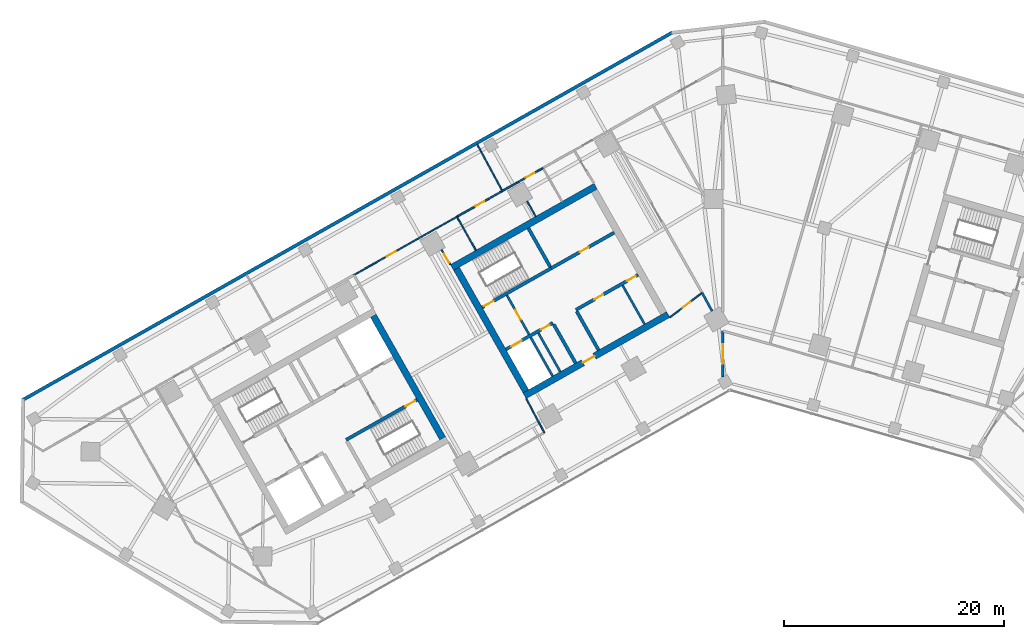
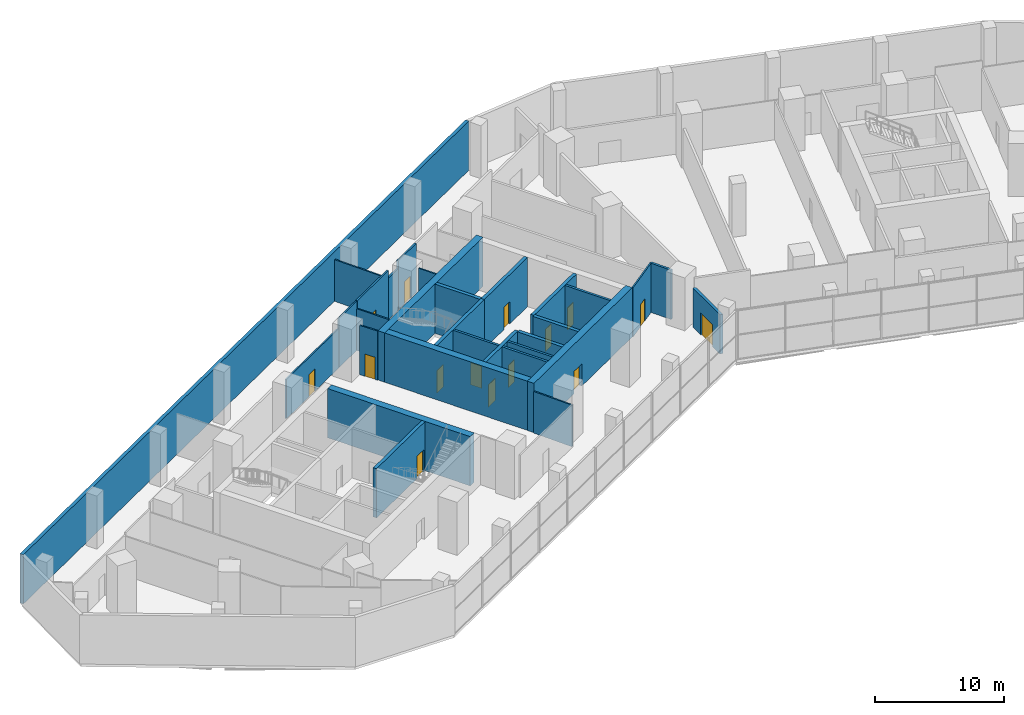
# One storey, part 9 of 15: 30 walls, 15 doors, 15 openings.
"""IFC4 building model written with IfcOpenShell, lengths in metres."""

from ifc_helpers import new_model, si_unit, direction, frame, frame_2d, origin, place, context, subcontext, project, spatial, rectangle, extrude, material, layer, layer_set, type_object, element, fill, save


model = new_model("IFC4")

# Units and contexts
model_context = context("Model", 3, precision=1e-05, world=origin(), true_north=direction((0.0, 1.0)))
body_context = subcontext(model_context, "Body", "Model", "MODEL_VIEW")
ifc_project = project(units=[si_unit("LENGTHUNIT", "METRE"), si_unit("AREAUNIT", "SQUARE_METRE"), si_unit("VOLUMEUNIT", "CUBIC_METRE"), si_unit("PLANEANGLEUNIT", "RADIAN"), si_unit("MASSUNIT", "GRAM", prefix="KILO")], contexts=[model_context])

# Site, building, storey
site_placement = place(None, origin())
site = spatial("IfcSite", under=ifc_project, at=site_placement, CompositionType="ELEMENT")
building_placement = place(site_placement, origin())
building = spatial("IfcBuilding", under=site, at=building_placement, Name="Binnacle Exchange Tower", CompositionType="ELEMENT")
storey_placement = place(building_placement, frame((0.0, 0.0, 16.5)))
storey = spatial("IfcBuildingStorey", under=building, at=storey_placement, Name="L03", CompositionType="ELEMENT", Elevation=16.5)

# Wall
ifc_material_1 = material(Name="Gypsum partition fire rated")
ifc_layer_1 = layer(ifc_material_1, 0.199951171875)
ifc_layer_set_1 = layer_set([ifc_layer_1], Name="Core partition 200")
wall_type_1 = type_object("IfcWallType", Name="Core partition 200", PredefinedType="PARTITIONING", material=ifc_layer_set_1)
wall_1_placement = place(storey_placement, frame((-9.11279296875, 52.14404296875, 0.0), z_axis=(0.0, 0.0, 1.0), x_axis=(0.492394910396, -0.870371904542, 0.0)))
element("IfcWall", 1, at=wall_1_placement, inside=storey, type_object=wall_type_1, Name="Core wall CRWC22", PredefinedType="PARTITIONING", context=body_context, shape_type="SweptSolid", body=[
    extrude(rectangle(XDim=4.0498046875, YDim=0.199951171875, at=frame_2d((2.02490234375, 0.0))), origin(), (0.0, 0.0, 1.0), 4.64990234375),
])

# Wall, openings, doors
ifc_material_2 = material(Name="Concrete C70/85", Category="concrete")
ifc_layer_2 = layer(ifc_material_2, 0.300048828125)
ifc_layer_set_2 = layer_set([ifc_layer_2], Name="Core wall - front 300")
wall_type_2 = type_object("IfcWallType", Name="Core wall - front 300", PredefinedType="SOLIDWALL", material=ifc_layer_set_2)
wall_2_placement = place(storey_placement, frame((-19.718017578125, 46.31640625, 0.0), z_axis=(0.0, 0.0, 1.0), x_axis=(0.870353963862, 0.492426621528, 0.0)))
wall_2 = element("IfcWall", 2, at=wall_2_placement, inside=storey, type_object=wall_type_2, Name="Core wall CRWC2", PredefinedType="SOLIDWALL", context=body_context, shape_type="SweptSolid", body=[
    extrude(rectangle(XDim=4.89990234375, YDim=0.300048828125, at=frame_2d((2.449951171875, 0.0))), origin(), (0.0, 0.0, 1.0), 4.64990234375),
])
opening_1_placement = place(wall_2_placement, frame((0.550048828125, 0.0, 0.0)))
opening_1 = element("IfcOpeningElement", 3, at=opening_1_placement, cuts=wall_2, Name="Opening LD14", PredefinedType="OPENING", context=body_context, shape_type="SweptSolid", body=[
    extrude(rectangle(XDim=1.10009765625, YDim=2.10009765625, at=frame_2d((0.550048828125, 1.050048828125))), frame((0.0, 0.159912109375, 0.0), z_axis=(0.0, -1.0, 0.0), x_axis=(1.0, 0.0, 0.0)), (0.0, 0.0, 1.0), 0.320068359375),
])
opening_2_placement = place(wall_2_placement, frame((3.64990234375, 0.0, 0.0)))
opening_2 = element("IfcOpeningElement", 4, at=opening_2_placement, cuts=wall_2, Name="Opening DC14", PredefinedType="OPENING", context=body_context, shape_type="SweptSolid", body=[
    extrude(rectangle(XDim=0.89990234375, YDim=2.10009765625, at=frame_2d((0.449951171875, 1.050048828125))), frame((0.0, 0.159912109375, 0.0), z_axis=(0.0, -1.0, 0.0), x_axis=(1.0, 0.0, 0.0)), (0.0, 0.0, 1.0), 0.320068359375),
])
ifc_material_3 = material(Name="Steel door leaf", Category="steel")
door_type_1 = type_object("IfcDoorType", Name="Fire door - lift landing 1100", OperationType="NOTDEFINED", PredefinedType="DOOR", material=ifc_material_3)
door_1_placement = place(opening_1_placement, origin())
door_1 = element("IfcDoor", 5, at=door_1_placement, inside=storey, type_object=door_type_1, Name="Landing door LD14 L03", OperationType="DOUBLE_DOOR_SLIDING", OverallHeight=2.10009765625, OverallWidth=1.10009765625, PredefinedType="DOOR", context=body_context, shape_type="SweptSolid", body=[
    extrude(rectangle(XDim=1.10009765625, YDim=2.10009765625, at=frame_2d((0.550048828125, 1.050048828125))), frame((0.0, 0.02490234375, 0.0), z_axis=(0.0, -1.0, 0.0), x_axis=(1.0, 0.0, 0.0)), (0.0, 0.0, 1.0), 0.050048828125),
])
fill(opening_1, door_1)
door_type_2 = type_object("IfcDoorType", Name="Fire door 900", OperationType="NOTDEFINED", PredefinedType="DOOR", material=ifc_material_3)
door_2_placement = place(opening_2_placement, frame((0.89990234375, 0.0, 0.0), z_axis=(0.0, 0.0, 1.0), x_axis=(-1.0, 0.0, 0.0)))
door_2 = element("IfcDoor", 6, at=door_2_placement, inside=storey, type_object=door_type_2, Name="Core room door IT STORE", OperationType="SINGLE_SWING_LEFT", OverallHeight=2.10009765625, OverallWidth=0.89990234375, PredefinedType="DOOR", context=body_context, shape_type="SweptSolid", body=[
    extrude(rectangle(XDim=0.89990234375, YDim=2.10009765625, at=frame_2d((0.449951171875, 1.050048828125))), frame((0.0, 0.02490234375, 0.0), z_axis=(0.0, -1.0, 0.0), x_axis=(1.0, 0.0, 0.0)), (0.0, 0.0, 1.0), 0.050048828125),
])
fill(opening_2, door_2)

wall_3_placement = place(storey_placement, frame((-13.364501953125, 49.910888671875, 0.0), z_axis=(0.0, 0.0, 1.0), x_axis=(0.870340995471, 0.49244954219, 0.0)))
wall_3 = element("IfcWall", 7, at=wall_3_placement, inside=storey, type_object=wall_type_2, Name="Core wall CRWC3", PredefinedType="SOLIDWALL", context=body_context, shape_type="SweptSolid", body=[
    extrude(rectangle(XDim=6.5, YDim=0.300048828125, at=frame_2d((3.25, 0.0))), origin(), (0.0, 0.0, 1.0), 4.64990234375),
])
opening_3_placement = place(wall_3_placement, frame((1.949951171875, 0.0, 0.0)))
opening_3 = element("IfcOpeningElement", 8, at=opening_3_placement, cuts=wall_3, Name="Opening DC18", PredefinedType="OPENING", context=body_context, shape_type="SweptSolid", body=[
    extrude(rectangle(XDim=0.89990234375, YDim=2.10009765625, at=frame_2d((0.449951171875, 1.050048828125))), frame((0.0, 0.159912109375, 0.0), z_axis=(0.0, -1.0, 0.0), x_axis=(1.0, 0.0, 0.0)), (0.0, 0.0, 1.0), 0.320068359375),
])
opening_4_placement = place(wall_3_placement, frame((5.35009765625, 0.0, 0.0)))
opening_4 = element("IfcOpeningElement", 9, at=opening_4_placement, cuts=wall_3, Name="Opening DC19", PredefinedType="OPENING", context=body_context, shape_type="SweptSolid", body=[
    extrude(rectangle(XDim=0.89990234375, YDim=2.10009765625, at=frame_2d((0.449951171875, 1.050048828125))), frame((0.0, 0.159912109375, 0.0), z_axis=(0.0, -1.0, 0.0), x_axis=(1.0, 0.0, 0.0)), (0.0, 0.0, 1.0), 0.320068359375),
])
door_3_placement = place(opening_3_placement, frame((0.89990234375, 0.0, 0.0), z_axis=(0.0, 0.0, 1.0), x_axis=(-1.0, 0.0, 0.0)))
door_3 = element("IfcDoor", 10, at=door_3_placement, inside=storey, type_object=door_type_2, Name="Core room door TELECOM RISER ROOM", OperationType="SINGLE_SWING_RIGHT", OverallHeight=2.10009765625, OverallWidth=0.89990234375, PredefinedType="DOOR", context=body_context, shape_type="SweptSolid", body=[
    extrude(rectangle(XDim=0.89990234375, YDim=2.10009765625, at=frame_2d((0.449951171875, 1.050048828125))), frame((0.0, 0.02490234375, 0.0), z_axis=(0.0, -1.0, 0.0), x_axis=(1.0, 0.0, 0.0)), (0.0, 0.0, 1.0), 0.050048828125),
])
fill(opening_3, door_3)
door_4_placement = place(opening_4_placement, frame((0.89990234375, 0.0, 0.0), z_axis=(0.0, 0.0, 1.0), x_axis=(-1.0, 0.0, 0.0)))
door_4 = element("IfcDoor", 11, at=door_4_placement, inside=storey, type_object=door_type_2, Name="Core room door FIBRE ENTRY ROOM", OperationType="SINGLE_SWING_LEFT", OverallHeight=2.10009765625, OverallWidth=0.89990234375, PredefinedType="DOOR", context=body_context, shape_type="SweptSolid", body=[
    extrude(rectangle(XDim=0.89990234375, YDim=2.10009765625, at=frame_2d((0.449951171875, 1.050048828125))), frame((0.0, 0.02490234375, 0.0), z_axis=(0.0, -1.0, 0.0), x_axis=(1.0, 0.0, 0.0)), (0.0, 0.0, 1.0), 0.050048828125),
])
fill(opening_4, door_4)

# Wall, opening, door
wall_4_placement = place(storey_placement, frame((-15.6181640625, 53.69140625, 0.0), z_axis=(0.0, 0.0, 1.0), x_axis=(0.870356769198, 0.492421663121, 0.0)))
wall_4 = element("IfcWall", 12, at=wall_4_placement, inside=storey, type_object=wall_type_2, Name="Core wall CRWC5", PredefinedType="SOLIDWALL", context=body_context, shape_type="SweptSolid", body=[
    extrude(rectangle(XDim=6.60009765625, YDim=0.300048828125, at=frame_2d((3.300048828125, 0.0))), origin(), (0.0, 0.0, 1.0), 4.64990234375),
])
opening_5_placement = place(wall_4_placement, frame((3.0, 0.0, 0.0)))
opening_5 = element("IfcOpeningElement", 13, at=opening_5_placement, cuts=wall_4, Name="Opening DC10", PredefinedType="OPENING", context=body_context, shape_type="SweptSolid", body=[
    extrude(rectangle(XDim=0.89990234375, YDim=2.10009765625, at=frame_2d((0.449951171875, 1.050048828125))), frame((0.0, 0.159912109375, 0.0), z_axis=(0.0, -1.0, 0.0), x_axis=(1.0, 0.0, 0.0)), (0.0, 0.0, 1.0), 0.320068359375),
])
door_5_placement = place(opening_5_placement, origin())
door_5 = element("IfcDoor", 14, at=door_5_placement, inside=storey, type_object=door_type_2, Name="Core room door SPARES STORE", OperationType="SINGLE_SWING_RIGHT", OverallHeight=2.10009765625, OverallWidth=0.89990234375, PredefinedType="DOOR", context=body_context, shape_type="SweptSolid", body=[
    extrude(rectangle(XDim=0.89990234375, YDim=2.10009765625, at=frame_2d((0.449951171875, 1.050048828125))), frame((0.0, 0.02490234375, 0.0), z_axis=(0.0, -1.0, 0.0), x_axis=(1.0, 0.0, 0.0)), (0.0, 0.0, 1.0), 0.050048828125),
])
fill(opening_5, door_5)

# Walls
for number, where, z_axis, x_axis, name in (
    (15, (-15.37939453125, 48.5986328125, 0.0), (0.0, 0.0, 1.0), (0.492394910396, -0.870371904542, 0.0), "Core wall CRWC13"),
    (16, (-13.29052734375, 49.780517578125, 0.0), (0.0, 0.0, 1.0), (0.492394910396, -0.870371904542, 0.0), "Core wall CRWC15"),
):
    element("IfcWall", number, at=place(storey_placement, frame(where, z_axis=z_axis, x_axis=x_axis)), inside=storey, type_object=wall_type_2, Name=name, PredefinedType="SOLIDWALL", context=body_context, shape_type="SweptSolid", body=[
        extrude(rectangle(XDim=4.0498046875, YDim=0.300048828125, at=frame_2d((2.02490234375, 0.0))), origin(), (0.0, 0.0, 1.0), 4.64990234375),
    ])
ifc_layer_3 = layer(ifc_material_2, 0.60009765625)
ifc_layer_set_3 = layer_set([ifc_layer_3], Name="Core wall - outer 600")
wall_type_3 = type_object("IfcWallType", Name="Core wall - outer 600", PredefinedType="SOLIDWALL", material=ifc_layer_set_3)
wall_5_placement = place(storey_placement, frame((-31.7783203125, 49.3740234375, 0.0), z_axis=(0.0, 0.0, 1.0), x_axis=(0.492433046652, -0.870350328641, 0.0)))
element("IfcWall", 17, at=wall_5_placement, inside=storey, type_object=wall_type_3, Name="Core wall CRWA22", PredefinedType="SOLIDWALL", context=body_context, shape_type="SweptSolid", body=[
    extrude(rectangle(XDim=12.800048828125, YDim=0.60009765625, at=frame_2d((6.39990234375, 0.0))), origin(), (0.0, 0.0, 1.0), 4.64990234375),
])

# Wall, opening, door
wall_6_placement = place(storey_placement, frame((-18.0244140625, 42.104248046875, 0.0), z_axis=(0.0, 0.0, 1.0), x_axis=(0.870360574057, 0.492414937962, 0.0)))
wall_6 = element("IfcWall", 18, at=wall_6_placement, inside=storey, type_object=wall_type_3, Name="Core wall CRWC1", PredefinedType="SOLIDWALL", context=body_context, shape_type="SweptSolid", body=[
    extrude(rectangle(XDim=15.0, YDim=0.60009765625, at=frame_2d((7.5, 0.0))), origin(), (0.0, 0.0, 1.0), 4.64990234375),
])
opening_6_placement = place(wall_6_placement, frame((6.10009765625, 0.0, 0.0)))
opening_6 = element("IfcOpeningElement", 19, at=opening_6_placement, cuts=wall_6, Name="Opening DC7", PredefinedType="OPENING", context=body_context, shape_type="SweptSolid", body=[
    extrude(rectangle(XDim=1.199951171875, YDim=2.10009765625, at=frame_2d((0.60009765625, 1.050048828125))), frame((0.0, 0.31005859375, 0.0), z_axis=(0.0, -1.0, 0.0), x_axis=(1.0, 0.0, 0.0)), (0.0, 0.0, 1.0), 0.6201171875),
])
door_type_3 = type_object("IfcDoorType", Name="Fire door 1200", OperationType="NOTDEFINED", PredefinedType="DOOR", material=ifc_material_3)
door_6_placement = place(opening_6_placement, frame((1.199951171875, 0.0, 0.0), z_axis=(0.0, 0.0, 1.0), x_axis=(-1.0, 0.0, 0.0)))
door_6 = element("IfcDoor", 20, at=door_6_placement, inside=storey, type_object=door_type_3, Name="Lift lobby entrance door core C", OperationType="SINGLE_SWING_RIGHT", OverallHeight=2.10009765625, OverallWidth=1.199951171875, PredefinedType="DOOR", context=body_context, shape_type="SweptSolid", body=[
    extrude(rectangle(XDim=1.199951171875, YDim=2.10009765625, at=frame_2d((0.60009765625, 1.050048828125))), frame((0.0, 0.02490234375, 0.0), z_axis=(0.0, -1.0, 0.0), x_axis=(1.0, 0.0, 0.0)), (0.0, 0.0, 1.0), 0.050048828125),
])
fill(opening_6, door_6)

# Walls
wall_7_placement = place(storey_placement, frame((-24.622802734375, 53.76708984375, 0.0), z_axis=(0.0, 0.0, 1.0), x_axis=(0.870356627484, 0.492421913601, 0.0)))
element("IfcWall", 21, at=wall_7_placement, inside=storey, type_object=wall_type_3, Name="Core wall CRWC6", PredefinedType="SOLIDWALL", context=body_context, shape_type="SweptSolid", body=[
    extrude(rectangle(XDim=14.999755859375, YDim=0.60009765625, at=frame_2d((7.5, 0.0))), origin(), (0.0, 0.0, 1.0), 4.64990234375),
])
wall_8_placement = place(storey_placement, frame((-24.214111328125, 53.653564453125, 0.0), z_axis=(0.0, 0.0, 1.0), x_axis=(0.492441221355, -0.870345703448, 0.0)))
element("IfcWall", 22, at=wall_8_placement, inside=storey, type_object=wall_type_3, Name="Core wall CRWC7", PredefinedType="SOLIDWALL", context=body_context, shape_type="SweptSolid", body=[
    extrude(rectangle(XDim=12.800048828125, YDim=0.60009765625, at=frame_2d((6.39990234375, 0.0))), origin(), (0.0, 0.0, 1.0), 4.64990234375),
])

# Wall, opening, door
ifc_layer_4 = layer(ifc_material_2, 0.300048828125)
ifc_layer_set_4 = layer_set([ifc_layer_4], Name="Core wall - stair 300")
wall_type_4 = type_object("IfcWallType", Name="Core wall - stair 300", PredefinedType="SOLIDWALL", material=ifc_layer_set_4)
wall_9_placement = place(storey_placement, frame((-34.2451171875, 38.097412109375, 0.0), z_axis=(0.0, 0.0, 1.0), x_axis=(0.870364910201, 0.492407273597, 0.0)))
wall_9 = element("IfcWall", 23, at=wall_9_placement, inside=storey, type_object=wall_type_4, Name="Core wall CRWA3", PredefinedType="SOLIDWALL", context=body_context, shape_type="SweptSolid", body=[
    extrude(rectangle(XDim=7.39990234375, YDim=0.300048828125, at=frame_2d((3.699951171875, 0.0))), origin(), (0.0, 0.0, 1.0), 4.64990234375),
])
opening_7_placement = place(wall_9_placement, frame((6.199951171875, 0.0, 0.0)))
opening_7 = element("IfcOpeningElement", 24, at=opening_7_placement, cuts=wall_9, Name="Opening DA2", PredefinedType="OPENING", context=body_context, shape_type="SweptSolid", body=[
    extrude(rectangle(XDim=1.0, YDim=2.10009765625, at=frame_2d((0.5, 1.050048828125))), frame((0.0, 0.159912109375, 0.0), z_axis=(0.0, -1.0, 0.0), x_axis=(1.0, 0.0, 0.0)), (0.0, 0.0, 1.0), 0.320068359375),
])
door_type_4 = type_object("IfcDoorType", Name="Fire door 1000", OperationType="NOTDEFINED", PredefinedType="DOOR", material=ifc_material_3)
door_7_placement = place(opening_7_placement, frame((1.0, 0.0, 0.0), z_axis=(0.0, 0.0, 1.0), x_axis=(-1.0, 0.0, 0.0)))
door_7 = element("IfcDoor", 25, at=door_7_placement, inside=storey, type_object=door_type_4, Name="Stair door ST-A2", OperationType="SINGLE_SWING_LEFT", OverallHeight=2.10009765625, OverallWidth=1.0, PredefinedType="DOOR", context=body_context, shape_type="SweptSolid", body=[
    extrude(rectangle(XDim=1.0, YDim=2.10009765625, at=frame_2d((0.5, 1.050048828125))), frame((0.0, 0.02490234375, 0.0), z_axis=(0.0, -1.0, 0.0), x_axis=(1.0, 0.0, 0.0)), (0.0, 0.0, 1.0), 0.050048828125),
])
fill(opening_7, door_7)

wall_10_placement = place(storey_placement, frame((-21.884765625, 50.14599609375, 0.0), z_axis=(0.0, 0.0, 1.0), x_axis=(0.870359411463, 0.492416992881, 0.0)))
wall_10 = element("IfcWall", 26, at=wall_10_placement, inside=storey, type_object=wall_type_4, Name="Core wall CRWC4", PredefinedType="SOLIDWALL", context=body_context, shape_type="SweptSolid", body=[
    extrude(rectangle(XDim=7.199951171875, YDim=0.300048828125, at=frame_2d((3.60009765625, 0.0))), origin(), (0.0, 0.0, 1.0), 4.64990234375),
])
opening_8_placement = place(wall_10_placement, frame((0.199951171875, 0.0, 0.0)))
opening_8 = element("IfcOpeningElement", 27, at=opening_8_placement, cuts=wall_10, Name="Opening DC1", PredefinedType="OPENING", context=body_context, shape_type="SweptSolid", body=[
    extrude(rectangle(XDim=1.0, YDim=2.10009765625, at=frame_2d((0.5, 1.050048828125))), frame((0.0, 0.159912109375, 0.0), z_axis=(0.0, -1.0, 0.0), x_axis=(1.0, 0.0, 0.0)), (0.0, 0.0, 1.0), 0.320068359375),
])
door_8_placement = place(opening_8_placement, origin())
door_8 = element("IfcDoor", 28, at=door_8_placement, inside=storey, type_object=door_type_4, Name="Stair door ST-C1", OperationType="SINGLE_SWING_LEFT", OverallHeight=2.10009765625, OverallWidth=1.0, PredefinedType="DOOR", context=body_context, shape_type="SweptSolid", body=[
    extrude(rectangle(XDim=1.0, YDim=2.10009765625, at=frame_2d((0.5, 1.050048828125))), frame((0.0, 0.02490234375, 0.0), z_axis=(0.0, -1.0, 0.0), x_axis=(1.0, 0.0, 0.0)), (0.0, 0.0, 1.0), 0.050048828125),
])
fill(opening_8, door_8)

# Walls
wall_11_placement = place(storey_placement, frame((-17.686279296875, 57.3466796875, 0.0), z_axis=(0.0, 0.0, 1.0), x_axis=(0.492420746998, -0.870357287513, 0.0)))
element("IfcWall", 29, at=wall_11_placement, inside=storey, type_object=wall_type_4, Name="Core wall CRWC14", PredefinedType="SOLIDWALL", context=body_context, shape_type="SweptSolid", body=[
    extrude(rectangle(XDim=4.049560546875, YDim=0.300048828125, at=frame_2d((2.02490234375, 0.0))), origin(), (0.0, 0.0, 1.0), 4.64990234375),
])
ifc_material_4 = material(Name="Bronze aluminium louvre", Category="aluminium")
ifc_layer_5 = layer(ifc_material_4, 0.300048828125)
ifc_layer_set_5 = layer_set([ifc_layer_5], Name="External wall - podium louvre 300")
wall_type_5 = type_object("IfcWallType", Name="External wall - podium louvre 300", PredefinedType="STANDARD", material=ifc_layer_set_5)
wall_12_placement = place(storey_placement, frame((-63.706787109375, 41.701171875, 0.0), z_axis=(0.0, 0.0, 1.0), x_axis=(0.870355510268, 0.492423888277, 0.0)))
element("IfcWall", 30, at=wall_12_placement, inside=storey, type_object=wall_type_5, Name="External wall EW-P02 L03", PredefinedType="STANDARD", context=body_context, shape_type="SweptSolid", body=[
    extrude(rectangle(XDim=67.9033203125, YDim=0.300048828125, at=frame_2d((33.95166015625, 0.0))), origin(), (0.0, 0.0, 1.0), 4.64990234375),
])
ifc_material_5 = material(Name="Masonry block wall", Category="masonry")
ifc_layer_6 = layer(ifc_material_5, 0.199951171875)
ifc_layer_set_6 = layer_set([ifc_layer_6], Name="Fire wall - block 200")
wall_type_6 = type_object("IfcWallType", Name="Fire wall - block 200", PredefinedType="PARTITIONING", material=ifc_layer_set_6)
wall_13_placement = place(storey_placement, frame((-1.883056640625, 51.467041015625, 0.0), z_axis=(0.0, 0.0, 1.0), x_axis=(0.477162952876, -0.878814836244, 0.0)))
element("IfcWall", 31, at=wall_13_placement, inside=storey, type_object=wall_type_6, Name="Partition W40", PredefinedType="PARTITIONING", context=body_context, shape_type="SweptSolid", body=[
    extrude(rectangle(XDim=1.89453125, YDim=0.199951171875, at=frame_2d((0.947265625, 0.0))), origin(), (0.0, 0.0, 1.0), 4.64990234375),
])

# Wall, opening, door
ifc_material_6 = material(Name="Concrete fire wall C30/37", Category="concrete")
ifc_layer_7 = layer(ifc_material_6, 0.25)
ifc_layer_set_7 = layer_set([ifc_layer_7], Name="Fire wall - compartment 250")
wall_type_7 = type_object("IfcWallType", Name="Fire wall - compartment 250", PredefinedType="PARTITIONING", material=ifc_layer_set_7)
wall_14_placement = place(storey_placement, frame((0.0, 43.805908203125, 0.0), z_axis=(0.0, 0.0, 1.0), x_axis=(0.0, 1.0, 0.0)))
wall_14 = element("IfcWall", 32, at=wall_14_placement, inside=storey, type_object=wall_type_7, Name="Fire Wall W41", PredefinedType="PARTITIONING", context=body_context, shape_type="SweptSolid", body=[
    extrude(rectangle(XDim=4.194091796875, YDim=0.25, at=frame_2d((2.09716796875, 0.0))), origin(), (0.0, 0.0, 1.0), 3.7119140625),
])
opening_9_placement = place(wall_14_placement, frame((1.199951171875, 0.0, 0.0)))
opening_9 = element("IfcOpeningElement", 33, at=opening_9_placement, cuts=wall_14, Name="Opening DL03-31", PredefinedType="OPENING", context=body_context, shape_type="SweptSolid", body=[
    extrude(rectangle(XDim=1.800048828125, YDim=2.10009765625, at=frame_2d((0.89990234375, 1.050048828125))), frame((0.0, 0.135009765625, 0.0), z_axis=(0.0, -1.0, 0.0), x_axis=(1.0, 0.0, 0.0)), (0.0, 0.0, 1.0), 0.27001953125),
])
door_type_5 = type_object("IfcDoorType", Name="Fire door 1800", OperationType="NOTDEFINED", PredefinedType="DOOR", material=ifc_material_3)
door_9_placement = place(opening_9_placement, origin())
door_9 = element("IfcDoor", 34, at=door_9_placement, inside=storey, type_object=door_type_5, Name="Door DL03-31", OperationType="DOUBLE_DOOR_SINGLE_SWING", OverallHeight=2.10009765625, OverallWidth=1.800048828125, PredefinedType="DOOR", context=body_context, shape_type="SweptSolid", body=[
    extrude(rectangle(XDim=1.800048828125, YDim=2.10009765625, at=frame_2d((0.89990234375, 1.050048828125))), frame((0.0, 0.02490234375, 0.0), z_axis=(0.0, -1.0, 0.0), x_axis=(1.0, 0.0, 0.0)), (0.0, 0.0, 1.0), 0.050048828125),
])
fill(opening_9, door_9)

ifc_layer_8 = layer(ifc_material_5, 0.199951171875)
ifc_layer_set_8 = layer_set([ifc_layer_8], Name="Fire wall - vestibule 200")
wall_type_8 = type_object("IfcWallType", Name="Fire wall - vestibule 200", PredefinedType="PARTITIONING", material=ifc_layer_set_8)
wall_15_placement = place(storey_placement, frame((-19.635009765625, 51.246337890625, 0.0), z_axis=(0.0, 0.0, 1.0), x_axis=(0.492408451753, -0.87036424366, 0.0)))
wall_15 = element("IfcWall", 35, at=wall_15_placement, inside=storey, type_object=wall_type_8, Name="Core wall CRWC10", PredefinedType="PARTITIONING", context=body_context, shape_type="SweptSolid", body=[
    extrude(rectangle(XDim=4.099853515625, YDim=0.199951171875, at=frame_2d((2.0498046875, 0.0))), origin(), (0.0, 0.0, 1.0), 4.64990234375),
])
opening_10_placement = place(wall_15_placement, frame((1.550048828125, 0.0, 0.0)))
opening_10 = element("IfcOpeningElement", 36, at=opening_10_placement, cuts=wall_15, Name="Opening DC3", PredefinedType="OPENING", context=body_context, shape_type="SweptSolid", body=[
    extrude(rectangle(XDim=1.0, YDim=2.10009765625, at=frame_2d((0.5, 1.050048828125))), frame((0.0, 0.10986328125, 0.0), z_axis=(0.0, -1.0, 0.0), x_axis=(1.0, 0.0, 0.0)), (0.0, 0.0, 1.0), 0.219970703125),
])
door_10_placement = place(opening_10_placement, frame((1.0, 0.0, 0.0), z_axis=(0.0, 0.0, 1.0), x_axis=(-1.0, 0.0, 0.0)))
door_10 = element("IfcDoor", 37, at=door_10_placement, inside=storey, type_object=door_type_4, Name="Vestibule door VEST-W", OperationType="SINGLE_SWING_RIGHT", OverallHeight=2.10009765625, OverallWidth=1.0, PredefinedType="DOOR", context=body_context, shape_type="SweptSolid", body=[
    extrude(rectangle(XDim=1.0, YDim=2.10009765625, at=frame_2d((0.5, 1.050048828125))), frame((0.0, 0.02490234375, 0.0), z_axis=(0.0, -1.0, 0.0), x_axis=(1.0, 0.0, 0.0)), (0.0, 0.0, 1.0), 0.050048828125),
])
fill(opening_10, door_10)

ifc_layer_9 = layer(ifc_material_1, 0.14990234375)
ifc_layer_set_9 = layer_set([ifc_layer_9], Name="Fire-rated partition 150")
wall_type_9 = type_object("IfcWallType", Name="Fire-rated partition 150", PredefinedType="PARTITIONING", material=ifc_layer_set_9)
wall_16_placement = place(storey_placement, frame((-24.179931640625, 58.384033203125, 0.0), z_axis=(0.0, 0.0, 1.0), x_axis=(0.870360772617, 0.492414587, 0.0)))
wall_16 = element("IfcWall", 38, at=wall_16_placement, inside=storey, type_object=wall_type_9, Name="Partition W24", PredefinedType="PARTITIONING", context=body_context, shape_type="SweptSolid", body=[
    extrude(rectangle(XDim=4.749755859375, YDim=0.14990234375, at=frame_2d((2.375, 0.0))), origin(), (0.0, 0.0, 1.0), 4.64990234375),
])
opening_11_placement = place(wall_16_placement, frame((1.949951171875, 0.0, 0.0)))
opening_11 = element("IfcOpeningElement", 39, at=opening_11_placement, cuts=wall_16, Name="Opening DL03-13", PredefinedType="OPENING", context=body_context, shape_type="SweptSolid", body=[
    extrude(rectangle(XDim=0.89990234375, YDim=2.10009765625, at=frame_2d((0.449951171875, 1.050048828125))), frame((0.0, 0.0849609375, 0.0), z_axis=(0.0, -1.0, 0.0), x_axis=(1.0, 0.0, 0.0)), (0.0, 0.0, 1.0), 0.169921875),
])
door_11_placement = place(opening_11_placement, frame((0.89990234375, 0.0, 0.0), z_axis=(0.0, 0.0, 1.0), x_axis=(-1.0, 0.0, 0.0)))
door_11 = element("IfcDoor", 40, at=door_11_placement, inside=storey, type_object=door_type_2, Name="Door DL03-13", OperationType="SINGLE_SWING_LEFT", OverallHeight=2.10009765625, OverallWidth=0.89990234375, PredefinedType="DOOR", context=body_context, shape_type="SweptSolid", body=[
    extrude(rectangle(XDim=0.89990234375, YDim=2.10009765625, at=frame_2d((0.449951171875, 1.050048828125))), frame((0.0, 0.02490234375, 0.0), z_axis=(0.0, -1.0, 0.0), x_axis=(1.0, 0.0, 0.0)), (0.0, 0.0, 1.0), 0.050048828125),
])
fill(opening_11, door_11)

# Wall
wall_17_placement = place(storey_placement, frame((-20.0458984375, 60.722900390625, 0.0), z_axis=(0.0, 0.0, 1.0), x_axis=(0.870308175411, 0.492507542899, 0.0)))
element("IfcWall", 41, at=wall_17_placement, inside=storey, type_object=wall_type_9, Name="Partition W27", PredefinedType="PARTITIONING", context=body_context, shape_type="SweptSolid", body=[
    extrude(rectangle(XDim=1.50048828125, YDim=0.14990234375, at=frame_2d((0.750244140625, 0.0))), origin(), (0.0, 0.0, 1.0), 3.929931640625),
])

# Wall, opening, door
wall_18_placement = place(storey_placement, frame((-18.739990234375, 61.4619140625, 0.0), z_axis=(0.0, 0.0, 1.0), x_axis=(0.870430549821, 0.492291232848, 0.0)))
wall_18 = element("IfcWall", 42, at=wall_18_placement, inside=storey, type_object=wall_type_9, Name="Partition W28", PredefinedType="PARTITIONING", context=body_context, shape_type="SweptSolid", body=[
    extrude(rectangle(XDim=2.75048828125, YDim=0.14990234375, at=frame_2d((1.375244140625, 0.0))), origin(), (0.0, 0.0, 1.0), 4.64990234375),
])
opening_12_placement = place(wall_18_placement, frame((0.949951171875, 0.0, 0.0)))
opening_12 = element("IfcOpeningElement", 43, at=opening_12_placement, cuts=wall_18, Name="Opening DL03-14", PredefinedType="OPENING", context=body_context, shape_type="SweptSolid", body=[
    extrude(rectangle(XDim=0.89990234375, YDim=2.10009765625, at=frame_2d((0.449951171875, 1.050048828125))), frame((0.0, 0.0849609375, 0.0), z_axis=(0.0, -1.0, 0.0), x_axis=(1.0, 0.0, 0.0)), (0.0, 0.0, 1.0), 0.169921875),
])
door_12_placement = place(opening_12_placement, frame((0.89990234375, 0.0, 0.0), z_axis=(0.0, 0.0, 1.0), x_axis=(-1.0, 0.0, 0.0)))
door_12 = element("IfcDoor", 44, at=door_12_placement, inside=storey, type_object=door_type_2, Name="Door DL03-14", OperationType="SINGLE_SWING_LEFT", OverallHeight=2.10009765625, OverallWidth=0.89990234375, PredefinedType="DOOR", context=body_context, shape_type="SweptSolid", body=[
    extrude(rectangle(XDim=0.89990234375, YDim=2.10009765625, at=frame_2d((0.449951171875, 1.050048828125))), frame((0.0, 0.02490234375, 0.0), z_axis=(0.0, -1.0, 0.0), x_axis=(1.0, 0.0, 0.0)), (0.0, 0.0, 1.0), 0.050048828125),
])
fill(opening_12, door_12)

ifc_material_7 = material(Name="Gypsum partition")
ifc_layer_10 = layer(ifc_material_7, 0.125)
ifc_layer_set_10 = layer_set([ifc_layer_10], Name="Partition 125")
wall_type_10 = type_object("IfcWallType", Name="Partition 125", PredefinedType="PARTITIONING", material=ifc_layer_set_10)
wall_19_placement = place(storey_placement, frame((-33.535888671875, 53.090087890625, 0.0), z_axis=(0.0, 0.0, 1.0), x_axis=(0.870327439455, 0.492473499928, 0.0)))
wall_19 = element("IfcWall", 45, at=wall_19_placement, inside=storey, type_object=wall_type_10, Name="Partition W19", PredefinedType="PARTITIONING", context=body_context, shape_type="SweptSolid", body=[
    extrude(rectangle(XDim=8.000244140625, YDim=0.125, at=frame_2d((4.0, 0.0))), origin(), (0.0, 0.0, 1.0), 3.7119140625),
])
opening_13_placement = place(wall_19_placement, frame((3.449951171875, 0.0, 0.0)))
opening_13 = element("IfcOpeningElement", 46, at=opening_13_placement, cuts=wall_19, Name="Opening DL03-05", PredefinedType="OPENING", context=body_context, shape_type="SweptSolid", body=[
    extrude(rectangle(XDim=0.89990234375, YDim=2.10009765625, at=frame_2d((0.449951171875, 1.050048828125))), frame((0.0, 0.072509765625, 0.0), z_axis=(0.0, -1.0, 0.0), x_axis=(1.0, 0.0, 0.0)), (0.0, 0.0, 1.0), 0.14501953125),
])
ifc_material_8 = material(Name="Timber door leaf", Category="wood")
door_type_6 = type_object("IfcDoorType", Name="Door 900", OperationType="NOTDEFINED", PredefinedType="DOOR", material=ifc_material_8)
door_13_placement = place(opening_13_placement, origin())
door_13 = element("IfcDoor", 47, at=door_13_placement, inside=storey, type_object=door_type_6, Name="Door DL03-05", OperationType="SINGLE_SWING_LEFT", OverallHeight=2.10009765625, OverallWidth=0.89990234375, PredefinedType="DOOR", context=body_context, shape_type="SweptSolid", body=[
    extrude(rectangle(XDim=0.89990234375, YDim=2.10009765625, at=frame_2d((0.449951171875, 1.050048828125))), frame((0.0, 0.02490234375, 0.0), z_axis=(0.0, -1.0, 0.0), x_axis=(1.0, 0.0, 0.0)), (0.0, 0.0, 1.0), 0.050048828125),
])
fill(opening_13, door_13)

# Wall
wall_20_placement = place(storey_placement, frame((-26.572998046875, 57.030029296875, 0.0), z_axis=(0.0, 0.0, 1.0), x_axis=(0.870344460795, 0.492443417626, 0.0)))
element("IfcWall", 48, at=wall_20_placement, inside=storey, type_object=wall_type_10, Name="Partition W20", PredefinedType="PARTITIONING", context=body_context, shape_type="SweptSolid", body=[
    extrude(rectangle(XDim=2.74951171875, YDim=0.125, at=frame_2d((1.374755859375, 0.0))), origin(), (0.0, 0.0, 1.0), 4.64990234375),
])

# Wall, opening, door
wall_21_placement = place(storey_placement, frame((-25.5869140625, 55.386962890625, 0.0), z_axis=(0.0, 0.0, 1.0), x_axis=(0.514767546849, -0.857329792268, 0.0)))
wall_21 = element("IfcWall", 49, at=wall_21_placement, inside=storey, type_object=wall_type_10, Name="Partition W21", PredefinedType="PARTITIONING", context=body_context, shape_type="SweptSolid", body=[
    extrude(rectangle(XDim=1.5849609375, YDim=0.125, at=frame_2d((0.79248046875, 0.0))), origin(), (0.0, 0.0, 1.0), 4.64990234375),
])
opening_14_placement = place(wall_21_placement, frame((0.449951171875, 0.0, 0.0)))
opening_14 = element("IfcOpeningElement", 50, at=opening_14_placement, cuts=wall_21, Name="Opening DL03-12", PredefinedType="OPENING", context=body_context, shape_type="SweptSolid", body=[
    extrude(rectangle(XDim=0.89990234375, YDim=2.10009765625, at=frame_2d((0.449951171875, 1.050048828125))), frame((0.0, 0.072509765625, 0.0), z_axis=(0.0, -1.0, 0.0), x_axis=(1.0, 0.0, 0.0)), (0.0, 0.0, 1.0), 0.14501953125),
])
door_14_placement = place(opening_14_placement, origin())
door_14 = element("IfcDoor", 51, at=door_14_placement, inside=storey, type_object=door_type_6, Name="Door DL03-12", OperationType="SINGLE_SWING_RIGHT", OverallHeight=2.10009765625, OverallWidth=0.89990234375, PredefinedType="DOOR", context=body_context, shape_type="SweptSolid", body=[
    extrude(rectangle(XDim=0.89990234375, YDim=2.10009765625, at=frame_2d((0.449951171875, 1.050048828125))), frame((0.0, 0.02490234375, 0.0), z_axis=(0.0, -1.0, 0.0), x_axis=(1.0, 0.0, 0.0)), (0.0, 0.0, 1.0), 0.050048828125),
])
fill(opening_14, door_14)

# Walls
wall_22_placement = place(storey_placement, frame((-24.179931640625, 58.384033203125, 0.0), z_axis=(0.0, 0.0, 1.0), x_axis=(0.492521469645, -0.870300294116, 0.0)))
element("IfcWall", 52, at=wall_22_placement, inside=storey, type_object=wall_type_10, Name="Partition W23", PredefinedType="PARTITIONING", context=body_context, shape_type="SweptSolid", body=[
    extrude(rectangle(XDim=3.5, YDim=0.125, at=frame_2d((1.75, 0.0))), origin(), (0.0, 0.0, 1.0), 3.929931640625),
])
wall_23_placement = place(storey_placement, frame((-22.330078125, 64.93896484375, 0.0), z_axis=(0.0, 0.0, 1.0), x_axis=(0.476360236723, -0.879250206067, 0.0)))
element("IfcWall", 53, at=wall_23_placement, inside=storey, type_object=wall_type_10, Name="Partition W26", PredefinedType="PARTITIONING", context=body_context, shape_type="SweptSolid", body=[
    extrude(rectangle(XDim=4.795166015625, YDim=0.125, at=frame_2d((2.3974609375, 0.0))), origin(), (0.0, 0.0, 1.0), 3.929931640625),
])
wall_24_placement = place(storey_placement, frame((-17.876953125, 41.843017578125, 0.0), z_axis=(0.0, 0.0, 1.0), x_axis=(0.469799130562, -0.882773344026, 0.0)))
element("IfcWall", 54, at=wall_24_placement, inside=storey, type_object=wall_type_10, Name="Partition W29", PredefinedType="PARTITIONING", context=body_context, shape_type="SweptSolid", body=[
    extrude(rectangle(XDim=3.50146484375, YDim=0.125, at=frame_2d((1.750732421875, 0.0))), origin(), (0.0, 0.0, 1.0), 3.929931640625),
])
wall_25_placement = place(storey_placement, frame((-17.797119140625, 59.7939453125, 0.0), z_axis=(0.0, 0.0, 1.0), x_axis=(0.492366981934, -0.870387703901, 0.0)))
element("IfcWall", 55, at=wall_25_placement, inside=storey, type_object=wall_type_10, Name="Partition W30", PredefinedType="PARTITIONING", context=body_context, shape_type="SweptSolid", body=[
    extrude(rectangle(XDim=1.584228515625, YDim=0.125, at=frame_2d((0.7919921875, 0.0))), origin(), (0.0, 0.0, 1.0), 4.64990234375),
])

# Wall, opening, door
wall_26_placement = place(storey_placement, frame((-4.821044921875, 49.22998046875, 0.0), z_axis=(0.0, 0.0, 1.0), x_axis=(0.795615322848, 0.605802160816, 0.0)))
wall_26 = element("IfcWall", 56, at=wall_26_placement, inside=storey, type_object=wall_type_10, Name="Partition W39", PredefinedType="PARTITIONING", context=body_context, shape_type="SweptSolid", body=[
    extrude(rectangle(XDim=3.692626953125, YDim=0.125, at=frame_2d((1.84619140625, 0.0))), origin(), (0.0, 0.0, 1.0), 4.64990234375),
])
opening_15_placement = place(wall_26_placement, frame((1.449951171875, 0.0, 0.0)))
opening_15 = element("IfcOpeningElement", 57, at=opening_15_placement, cuts=wall_26, Name="Opening DL03-03", PredefinedType="OPENING", context=body_context, shape_type="SweptSolid", body=[
    extrude(rectangle(XDim=0.89990234375, YDim=2.10009765625, at=frame_2d((0.449951171875, 1.050048828125))), frame((0.0, 0.072509765625, 0.0), z_axis=(0.0, -1.0, 0.0), x_axis=(1.0, 0.0, 0.0)), (0.0, 0.0, 1.0), 0.14501953125),
])
door_15_placement = place(opening_15_placement, origin())
door_15 = element("IfcDoor", 58, at=door_15_placement, inside=storey, type_object=door_type_6, Name="Door DL03-03", OperationType="SINGLE_SWING_RIGHT", OverallHeight=2.10009765625, OverallWidth=0.89990234375, PredefinedType="DOOR", context=body_context, shape_type="SweptSolid", body=[
    extrude(rectangle(XDim=0.89990234375, YDim=2.10009765625, at=frame_2d((0.449951171875, 1.050048828125))), frame((0.0, 0.02490234375, 0.0), z_axis=(0.0, -1.0, 0.0), x_axis=(1.0, 0.0, 0.0)), (0.0, 0.0, 1.0), 0.050048828125),
])
fill(opening_15, door_15)

# Walls
ifc_layer_11 = layer(ifc_material_5, 0.199951171875)
ifc_layer_set_11 = layer_set([ifc_layer_11], Name="Riser wall 200")
wall_type_11 = type_object("IfcWallType", Name="Riser wall 200", PredefinedType="SOLIDWALL", material=ifc_layer_set_11)
for number, where, z_axis, x_axis, name in (
    (59, (-17.468505859375, 47.416748046875, 0.0), (0.0, 0.0, 1.0), (0.492440575896, -0.870346068648, 0.0), "Core wall CRWC8"),
    (60, (-16.772216796875, 47.810791015625, 0.0), (0.0, 0.0, 1.0), (0.492440575896, -0.870346068648, 0.0), "Core wall CRWC11"),
):
    element("IfcWall", number, at=place(storey_placement, frame(where, z_axis=z_axis, x_axis=x_axis)), inside=storey, type_object=wall_type_11, Name=name, PredefinedType="SOLIDWALL", context=body_context, shape_type="SweptSolid", body=[
        extrude(rectangle(XDim=4.050048828125, YDim=0.199951171875, at=frame_2d((2.02490234375, 0.0))), origin(), (0.0, 0.0, 1.0), 4.64990234375),
    ])

save(model, "model.ifc")
